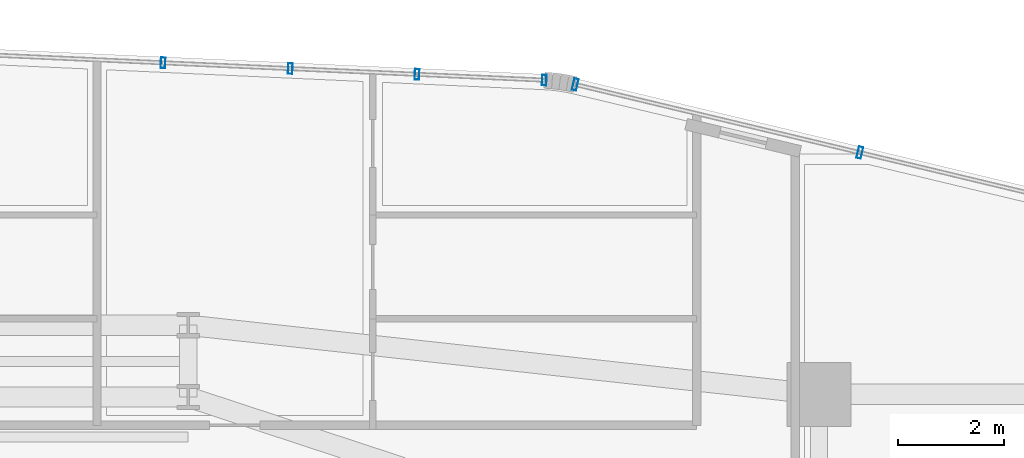
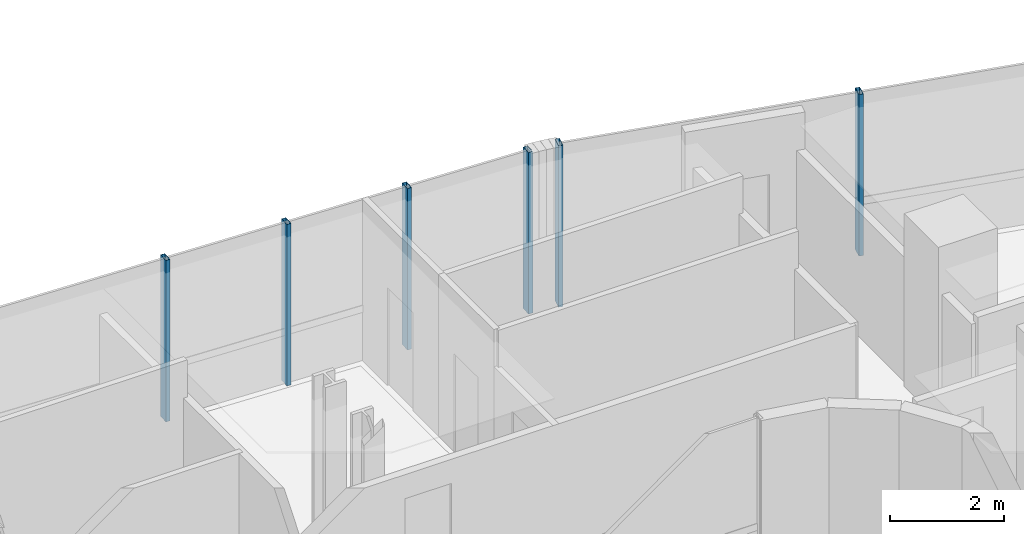
# One storey, part 24 of 37: 6 members, 2 elements without a shape of their own.
"""IFC4 building model written with IfcOpenShell, lengths in metres."""

from ifc_helpers import new_model, si_unit, direction, frame, origin, origin_2d, place, context, subcontext, project, spatial, hollow_rectangle, extrude, source, transform, mapped, material, material_profile, profile_set, type_object, element, aggregate, save


model = new_model("IFC4")

# Units and contexts
model_context = context("Model", 3, precision=1e-05, world=origin(), true_north=direction((0.0, 1.0)))
body_context = subcontext(model_context, "Body", "Model", "MODEL_VIEW")
ifc_project = project(units=[si_unit("LENGTHUNIT", "METRE"), si_unit("AREAUNIT", "SQUARE_METRE"), si_unit("VOLUMEUNIT", "CUBIC_METRE"), si_unit("PLANEANGLEUNIT", "RADIAN"), si_unit("MASSUNIT", "GRAM", prefix="KILO")], contexts=[model_context])

# Site, building, storey
site_placement = place(None, origin())
site = spatial("IfcSite", under=ifc_project, at=site_placement, CompositionType="ELEMENT")
building_placement = place(site_placement, origin())
building = spatial("IfcBuilding", under=site, at=building_placement, Name="Valdorenza Pilgrim Sanctuary Tower", CompositionType="ELEMENT")
storey_placement = place(building_placement, frame((0.0, 0.0, 127.89990234375)))
storey = spatial("IfcBuildingStorey", under=building, at=storey_placement, Name="L32", CompositionType="ELEMENT", Elevation=127.89990234375)

# Curtain wall, members
ifc_material_1 = material(Name="Curtain-wall IGU glazing", Category="glass")
curtain_wall_type_1 = type_object("IfcCurtainWallType", Name="CW-SYS-02", PredefinedType="NOTDEFINED", material=ifc_material_1)
curtain_wall_1_placement = place(storey_placement, origin())
curtain_wall_1 = element("IfcCurtainWall", 1, at=curtain_wall_1_placement, inside=storey, type_object=curtain_wall_type_1, Name="L32 Curtain Wall CW-L32-1-11", PredefinedType="NOTDEFINED")
ifc_material_2 = material(Name="Anodised aluminium AW-6060", Category="aluminium")
ifc_material_profile_1 = material_profile(ifc_material_2, hollow_rectangle(XDim=0.0849609375, YDim=0.199951171875, WallThickness=0.0048828125, at=origin_2d()), Name="ALU-M 200x85x5")
ifc_profile_set_1 = profile_set([ifc_material_profile_1], Name="Anodised aluminium AW-6060")
member_type_1 = type_object("IfcMemberType", Name="CW-MUL-02", PredefinedType="MULLION", material=ifc_profile_set_1)
shared_shape_1 = source(origin(), body_context, "Body", "SweptSolid", [
    extrude(hollow_rectangle(XDim=0.0849609375, YDim=0.199951171875, WallThickness=0.0048828125, at=origin_2d()), origin(), (0.0, 0.0, 1.0), 3.460205078125),
])
member_1_placement = place(storey_placement, frame((3.528076171875, 19.7294921875, 0.0), z_axis=(0.0, 0.0, 1.0), x_axis=(0.998968193221, -0.045415294044, 0.0)))
member_1 = element("IfcMember", 2, at=member_1_placement, type_object=member_type_1, Name="CW-L32-1-11 Mullion 3", PredefinedType="MULLION", context=body_context, shape_type="MappedRepresentation", body=[
    mapped(shared_shape_1, transform((0.0, 0.0, 0.0), x_axis=(1.0, 0.0, 0.0), y_axis=(0.0, 1.0, 0.0), z_axis=(0.0, 0.0, 1.0), scale=1.0)),
])
member_2_placement = place(storey_placement, frame((10.68994140625, 19.404052734375, 0.0), z_axis=(0.0, 0.0, 1.0), x_axis=(0.998968193221, -0.045415294044, 0.0)))
member_2 = element("IfcMember", 3, at=member_2_placement, type_object=member_type_1, Name="CW-L32-1-11 Mullion 4", PredefinedType="MULLION", context=body_context, shape_type="MappedRepresentation", body=[
    mapped(shared_shape_1, transform((0.0, 0.0, 0.0), x_axis=(1.0, 0.0, 0.0), y_axis=(0.0, 1.0, 0.0), z_axis=(0.0, 0.0, 1.0), scale=1.0)),
])
member_3_placement = place(storey_placement, frame((5.918701171875, 19.620849609375, 0.0), z_axis=(0.0, 0.0, 1.0), x_axis=(0.998968193221, -0.045415294044, 0.0)))
member_3 = element("IfcMember", 4, at=member_3_placement, type_object=member_type_1, Name="CW-L32-1-11 Sub-Mullion 57-1", PredefinedType="MULLION", context=body_context, shape_type="MappedRepresentation", body=[
    mapped(shared_shape_1, transform((0.0, 0.0, 0.0), x_axis=(1.0, 0.0, 0.0), y_axis=(0.0, 1.0, 0.0), z_axis=(0.0, 0.0, 1.0), scale=1.0)),
])
member_4_placement = place(storey_placement, frame((8.29931640625, 19.5126953125, 0.0), z_axis=(0.0, 0.0, 1.0), x_axis=(0.998968193221, -0.045415294044, 0.0)))
member_4 = element("IfcMember", 5, at=member_4_placement, type_object=member_type_1, Name="CW-L32-1-11 Sub-Mullion 57-2", PredefinedType="MULLION", context=body_context, shape_type="MappedRepresentation", body=[
    mapped(shared_shape_1, transform((0.0, 0.0, 0.0), x_axis=(1.0, 0.0, 0.0), y_axis=(0.0, 1.0, 0.0), z_axis=(0.0, 0.0, 1.0), scale=1.0)),
])
aggregate(curtain_wall_1, [member_1, member_2, member_3, member_4])

curtain_wall_type_2 = type_object("IfcCurtainWallType", Name="CW-SYS-03", PredefinedType="NOTDEFINED", material=ifc_material_1)
curtain_wall_2_placement = place(storey_placement, origin())
curtain_wall_2 = element("IfcCurtainWall", 6, at=curtain_wall_2_placement, inside=storey, type_object=curtain_wall_type_2, Name="L32 Curtain Wall CW-L32-1-16", PredefinedType="NOTDEFINED")
ifc_material_profile_2 = material_profile(ifc_material_2, hollow_rectangle(XDim=0.0849609375, YDim=0.219970703125, WallThickness=0.0048828125, at=origin_2d()), Name="ALU-M 220x85x5")
ifc_profile_set_2 = profile_set([ifc_material_profile_2], Name="Anodised aluminium AW-6060")
member_type_2 = type_object("IfcMemberType", Name="CW-MUL-03", PredefinedType="MULLION", material=ifc_profile_set_2)
shared_shape_2 = source(origin(), body_context, "Body", "SweptSolid", [
    extrude(hollow_rectangle(XDim=0.0849609375, YDim=0.219970703125, WallThickness=0.0048828125, at=origin_2d()), origin(), (0.0, 0.0, 1.0), 3.460205078125),
])
member_5_placement = place(storey_placement, frame((11.271484375, 19.322021484375, 0.0), z_axis=(0.0, 0.0, 1.0), x_axis=(0.972528596343, -0.232783438617, 0.0)))
member_5 = element("IfcMember", 7, at=member_5_placement, type_object=member_type_2, Name="CW-L32-1-16 Mullion 1", PredefinedType="MULLION", context=body_context, shape_type="MappedRepresentation", body=[
    mapped(shared_shape_2, transform((0.0, 0.0, 0.0), x_axis=(1.0, 0.0, 0.0), y_axis=(0.0, 1.0, 0.0), z_axis=(0.0, 0.0, 1.0), scale=1.0)),
])
member_6_placement = place(storey_placement, frame((16.617919921875, 18.042236328125, 0.0), z_axis=(0.0, 0.0, 1.0), x_axis=(0.972528596343, -0.232783438617, 0.0)))
member_6 = element("IfcMember", 8, at=member_6_placement, type_object=member_type_2, Name="CW-L32-1-16 Mullion 2", PredefinedType="MULLION", context=body_context, shape_type="MappedRepresentation", body=[
    mapped(shared_shape_2, transform((0.0, 0.0, 0.0), x_axis=(1.0, 0.0, 0.0), y_axis=(0.0, 1.0, 0.0), z_axis=(0.0, 0.0, 1.0), scale=1.0)),
])
aggregate(curtain_wall_2, [member_5, member_6])

save(model, "model.ifc")
